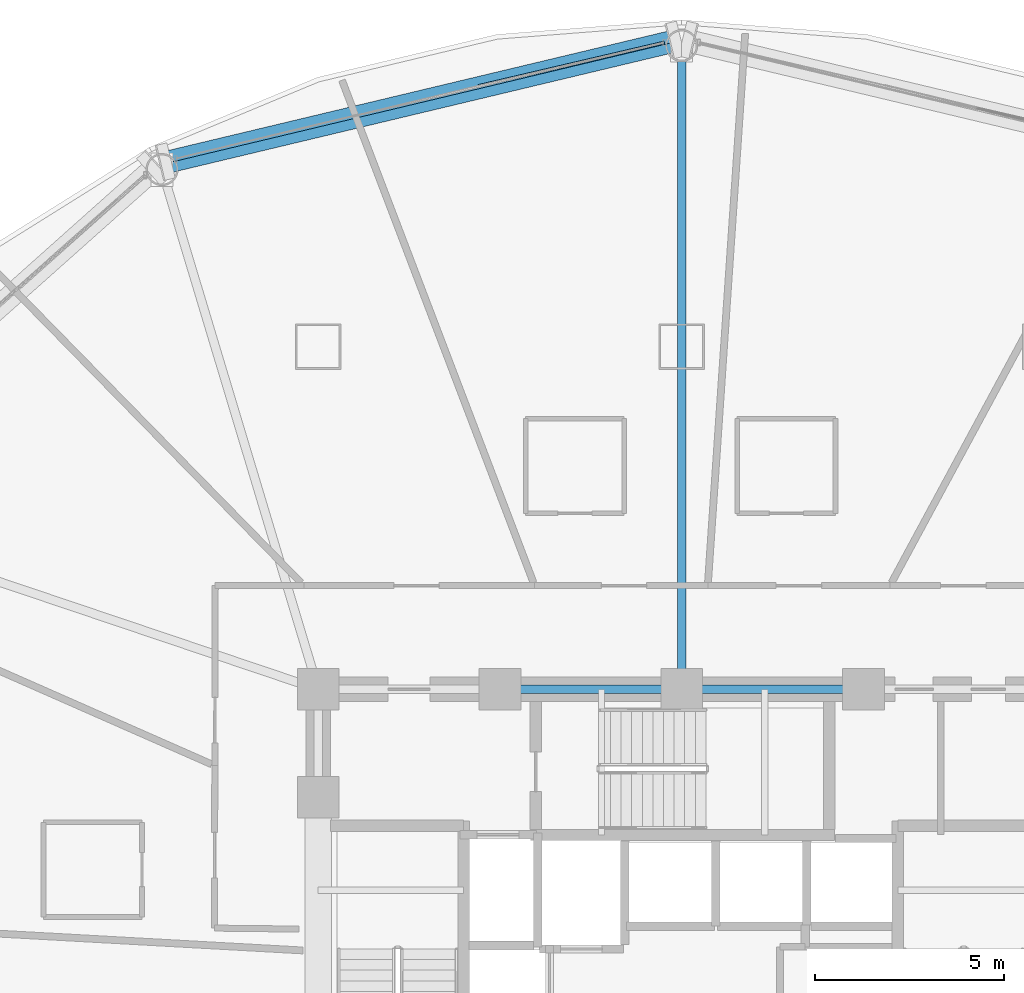
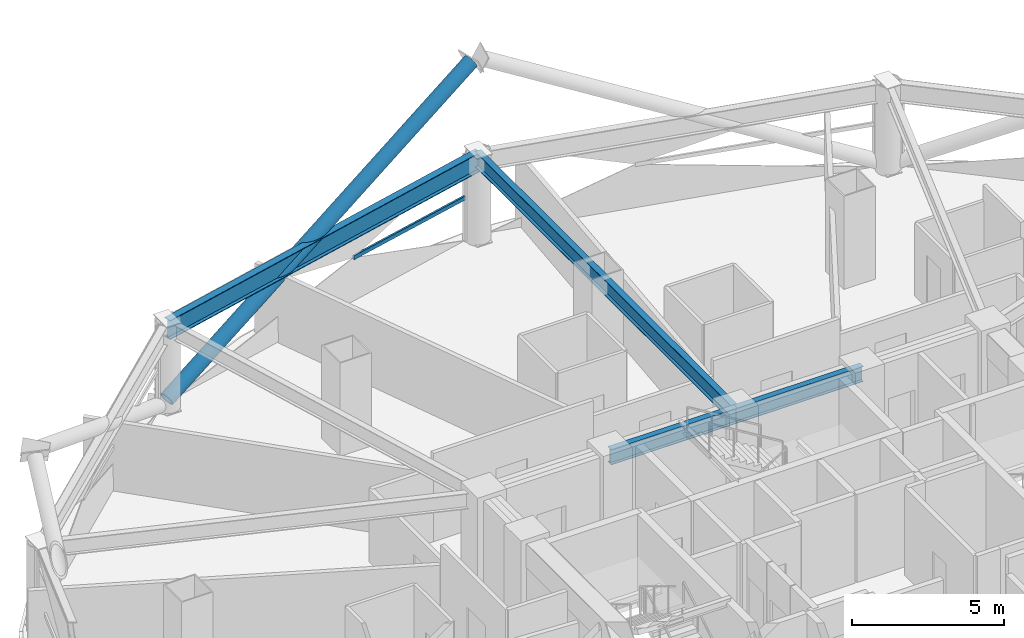
# One storey, part 16 of 30: 4 beams, 2 members, 1 element without a shape of its own.
"""IFC4 building model written with IfcOpenShell, lengths in metres."""

from ifc_helpers import new_model, si_unit, direction, frame, origin, origin_2d, place, context, subcontext, project, spatial, hollow_rectangle, hollow_circle, i_section, extrude, material, layer, layer_set, material_profile, profile_set, type_object, element, aggregate, save


model = new_model("IFC4")

# Units and contexts
model_context = context("Model", 3, precision=1e-05, world=origin(), true_north=direction((0.0, 1.0)))
body_context = subcontext(model_context, "Body", "Model", "MODEL_VIEW")
ifc_project = project(units=[si_unit("LENGTHUNIT", "METRE"), si_unit("AREAUNIT", "SQUARE_METRE"), si_unit("VOLUMEUNIT", "CUBIC_METRE"), si_unit("PLANEANGLEUNIT", "RADIAN"), si_unit("MASSUNIT", "GRAM", prefix="KILO")], contexts=[model_context])

# Site, building, storey
site_placement = place(None, origin())
site = spatial("IfcSite", under=ifc_project, at=site_placement, CompositionType="ELEMENT")
building_placement = place(site_placement, origin())
building = spatial("IfcBuilding", under=site, at=building_placement, Name="Vantalir Tower", CompositionType="ELEMENT")
storey_placement = place(building_placement, frame((0.0, 0.0, 57.0)))
storey = spatial("IfcBuildingStorey", under=building, at=storey_placement, Name="L13", CompositionType="ELEMENT", Elevation=57.0)

# Beams
ifc_material_1 = material(Name="Steel S355", Category="steel")
ifc_material_profile_1 = material_profile(ifc_material_1, i_section(OverallWidth=0.22998046875, OverallDepth=0.616943359375, WebThickness=0.01318359375, FlangeThickness=0.022216796875, at=origin_2d()), Name="Steel S355")
ifc_profile_set_1 = profile_set([ifc_material_profile_1], Name="Steel S355")
beam_type_1 = type_object("IfcBeamType", Name="BM-RB-610x229", PredefinedType="BEAM", material=ifc_profile_set_1)
for number, where, z_axis, x_axis, name in (
    (1, (36.300048828125, 32.449951171875, 3.261962890625), (-1.0, 0.0, 0.0), (0.0, -1.0, 0.0), "L13 Core Coupling Girder 09"),
    (2, (31.5, 32.449951171875, 3.261962890625), (-1.0, 0.0, 0.0), (0.0, -1.0, 0.0), "L13 Core Coupling Girder 10"),
):
    element("IfcBeam", number, at=place(storey_placement, frame(where, z_axis=z_axis, x_axis=x_axis)), inside=storey, type_object=beam_type_1, Name=name, PredefinedType="BEAM", context=body_context, shape_type="SweptSolid", body=[
        extrude(i_section(OverallWidth=0.22998046875, OverallDepth=0.616943359375, WebThickness=0.01318359375, FlangeThickness=0.022216796875, at=origin_2d()), origin(), (0.0, 0.0, 1.0), 4.800048828125),
    ])
beam_1_placement = place(storey_placement, frame((31.5, 49.450927734375, 3.261962890625), z_axis=(0.0, -1.0, 0.0), x_axis=(1.0, 0.0, 0.0)))
element("IfcBeam", 3, at=beam_1_placement, inside=storey, type_object=beam_type_1, Name="L13 Radial Floor Beam 04", PredefinedType="BEAM", context=body_context, shape_type="SweptSolid", body=[
    extrude(i_section(OverallWidth=0.22998046875, OverallDepth=0.616943359375, WebThickness=0.01318359375, FlangeThickness=0.022216796875, at=origin_2d()), origin(), (0.0, 0.0, 1.0), 17.0009765625),
])
ifc_material_2 = material(Name="Steel S460", Category="steel")
ifc_material_profile_2 = material_profile(ifc_material_2, i_section(OverallWidth=0.26806640625, OverallDepth=0.77001953125, WebThickness=0.015625, FlangeThickness=0.025390625, at=origin_2d()), Name="Steel S460")
ifc_profile_set_2 = profile_set([ifc_material_profile_2], Name="Steel S460")
beam_type_2 = type_object("IfcBeamType", Name="BM-RG-762x267", PredefinedType="USERDEFINED", material=ifc_profile_set_2)
beam_2_placement = place(storey_placement, frame((31.5, 49.450927734375, 3.18505859375), z_axis=(-0.972678344586, -0.23215692532, 0.0), x_axis=(0.23215692532, -0.972678344586, 0.0)))
element("IfcBeam", 4, at=beam_2_placement, inside=storey, type_object=beam_type_2, Name="L13 Circumferential Ring Girder 04", ObjectType="GIRDER", PredefinedType="USERDEFINED", context=body_context, shape_type="SweptSolid", body=[
    extrude(i_section(OverallWidth=0.26806640625, OverallDepth=0.77001953125, WebThickness=0.015625, FlangeThickness=0.025390625, at=origin_2d()), origin(), (0.0, 0.0, 1.0), 14.110595703125),
])

# Curtain wall, member
ifc_material_3 = material(Name="Champagne-silver PVDF aluminium and double-silver Low-E glass", Category="aluminium")
ifc_layer = layer(ifc_material_3, 0.18994140625)
ifc_layer_set = layer_set([ifc_layer], Name="Champagne-silver PVDF aluminium and double-silver Low-E glass")
curtain_wall_type = type_object("IfcCurtainWallType", Name="CW-DIAMOND-Z1", PredefinedType="USERDEFINED", material=ifc_layer_set)
curtain_wall_placement = place(storey_placement, origin())
curtain_wall = element("IfcCurtainWall", 5, at=curtain_wall_placement, inside=storey, type_object=curtain_wall_type, Name="L13 Quilted Pyramid-Diamond Curtain Wall S04", ObjectType="UNITISED CURTAIN WALL", PredefinedType="USERDEFINED")
ifc_material_4 = material(Name="Champagne-silver PVDF aluminium 6063-T6", Category="aluminium")
ifc_material_profile_3 = material_profile(ifc_material_4, hollow_rectangle(XDim=0.074951171875, YDim=0.159912109375, WallThickness=0.00390625, at=origin_2d()), Name="Champagne-silver PVDF aluminium 6063-T6")
ifc_profile_set_3 = profile_set([ifc_material_profile_3], Name="Champagne-silver PVDF aluminium 6063-T6")
member_type_1 = type_object("IfcMemberType", Name="CWT-160x75", PredefinedType="USERDEFINED", material=ifc_profile_set_3)
member_1_placement = place(storey_placement, frame((31.04296875, 49.531982421875, 1.784912109375), z_axis=(-0.973740042159, -0.227662755618, 0.0), x_axis=(0.227662755618, -0.973740042159, 0.0)))
member_1 = element("IfcMember", 6, at=member_1_placement, type_object=member_type_1, Name="CW-L13-S04 Pyramid Fold Ridge Transom", ObjectType="TRANSOM", PredefinedType="USERDEFINED", context=body_context, shape_type="SweptSolid", body=[
    extrude(hollow_rectangle(XDim=0.074951171875, YDim=0.159912109375, WallThickness=0.00390625, at=origin_2d()), origin(), (0.0, 0.0, 1.0), 5.042236328125),
])
aggregate(curtain_wall, [member_1])

# Member
ifc_material_profile_4 = material_profile(ifc_material_2, hollow_circle(Radius=0.27001953125, WallThickness=0.044921875, at=origin_2d()), Name="Steel S460")
ifc_profile_set_4 = profile_set([ifc_material_profile_4], Name="Steel S460")
member_type_2 = type_object("IfcMemberType", Name="MEM-DB-540x45", PredefinedType="BRACE", material=ifc_profile_set_4)
member_2_placement = place(storey_placement, frame((17.87109375, 46.385986328125, 0.178955078125), z_axis=(0.868597690251, 0.207420661325, 0.450016357198), x_axis=(-0.232268693622, 0.972651661163, 0.0)))
element("IfcMember", 7, at=member_2_placement, inside=storey, type_object=member_type_2, Name="L13 Perimeter S460 Diagrid Brace R13R", PredefinedType="BRACE", context=body_context, shape_type="SweptSolid", body=[
    extrude(hollow_circle(Radius=0.27001953125, WallThickness=0.044921875, at=origin_2d()), origin(), (0.0, 0.0, 1.0), 15.470947265625),
])

save(model, "model.ifc")
